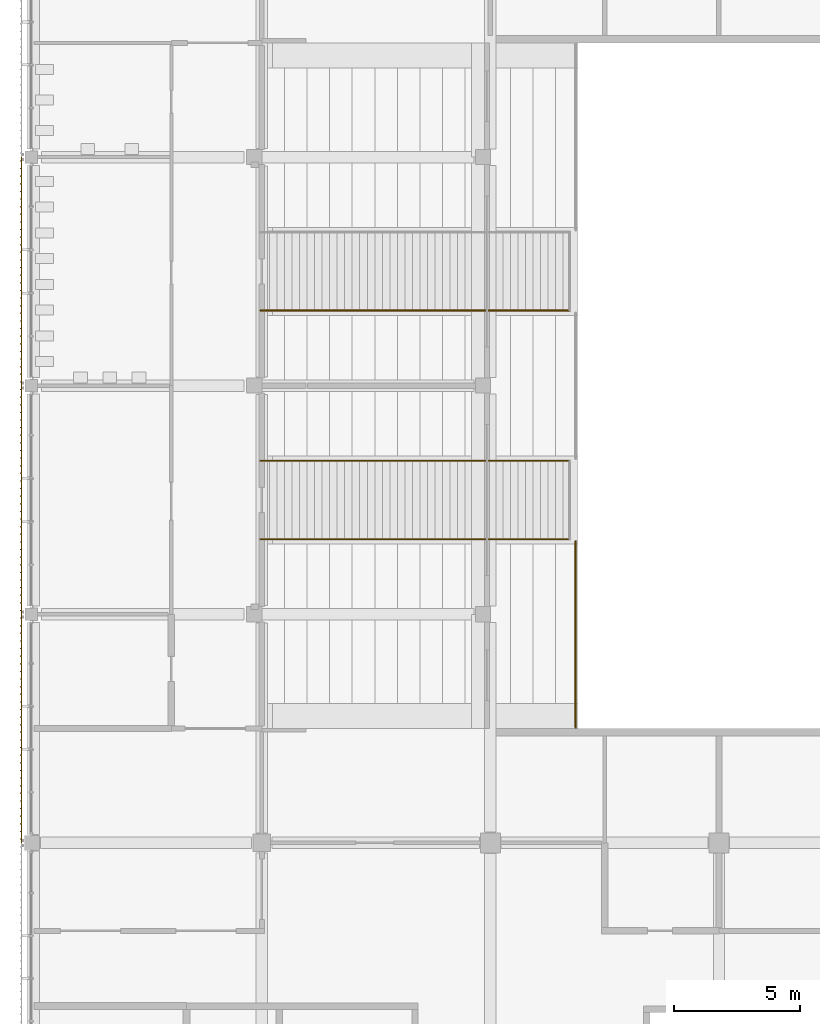
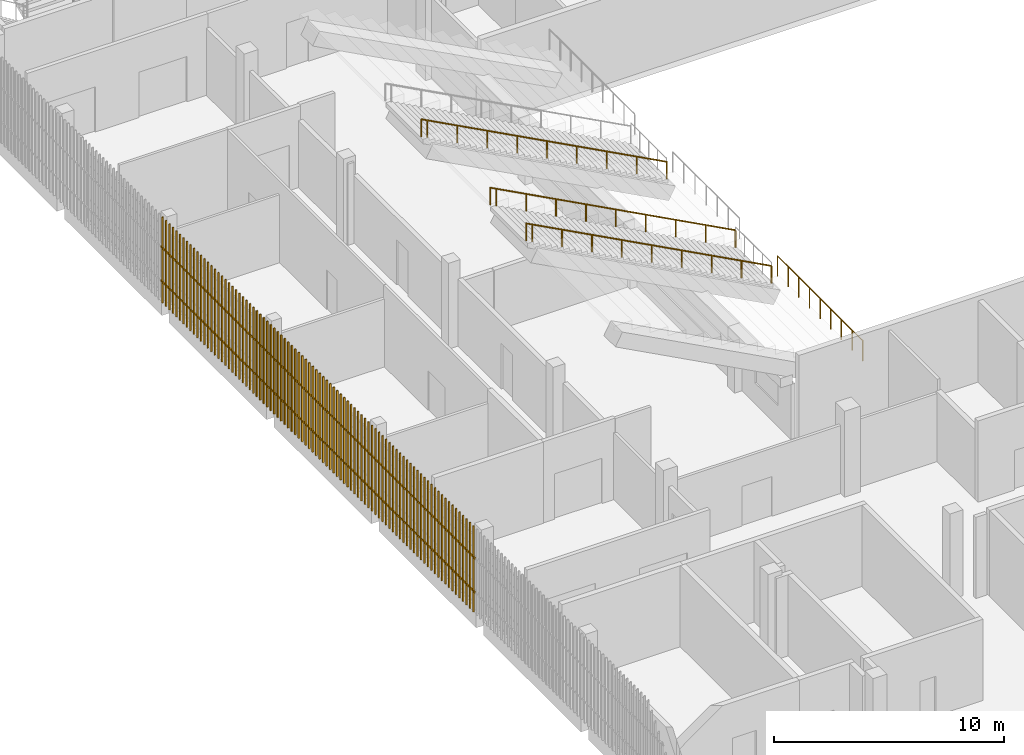
# One storey, part 117 of 139: 4 railings, 3 shading devices.
"""IFC4 building model written with IfcOpenShell, lengths in metres."""

from ifc_helpers import new_model, si_unit, direction, frame, origin, origin_2d, place, context, subcontext, project, spatial, rectangle, circle, extrude, material, type_object, element, save


model = new_model("IFC4")

# Units and contexts
model_context = context("Model", 3, precision=1e-05, world=origin(), true_north=direction((0.0, 1.0)))
body_context = subcontext(model_context, "Body", "Model", "MODEL_VIEW")
ifc_project = project(units=[si_unit("LENGTHUNIT", "METRE"), si_unit("AREAUNIT", "SQUARE_METRE"), si_unit("VOLUMEUNIT", "CUBIC_METRE"), si_unit("PLANEANGLEUNIT", "RADIAN"), si_unit("MASSUNIT", "GRAM", prefix="KILO")], contexts=[model_context])

# Site, building, storey
site_placement = place(None, origin())
site = spatial("IfcSite", under=ifc_project, at=site_placement, CompositionType="ELEMENT")
building_placement = place(site_placement, origin())
building = spatial("IfcBuilding", under=site, at=building_placement, Name="Shirokan Park Arena", CompositionType="ELEMENT")
storey_placement = place(building_placement, frame((0.0, 0.0, 15.469970703125)))
storey = spatial("IfcBuildingStorey", under=building, at=storey_placement, Name="L03", CompositionType="ELEMENT", Elevation=15.469970703125)

# Railings
ifc_material_1 = material(Name="Stainless steel", Category="steel")
railing_type_1 = type_object("IfcRailingType", Name="Aisle handrail 900", PredefinedType="HANDRAIL", material=ifc_material_1)
railing_1_placement = place(storey_placement, frame((21.35009765625, 48.489990234375, 2.5400390625)))
element("IfcRailing", 1, at=railing_1_placement, inside=storey, type_object=railing_type_1, Name="Handrail vomitory stair W1 upper", PredefinedType="HANDRAIL", context=body_context, shape_type="SweptSolid", body=[
    extrude(circle(Radius=0.02490234375, at=origin_2d()), frame((0.0, 0.0, 0.90185546875), z_axis=(-0.882341014787, 0.0, 0.470610596591), x_axis=(0.0, -1.0, 0.0)), (0.0, 0.0, 1.0), 1.699951171875),
    extrude(circle(Radius=0.02490234375, at=origin_2d()), frame((-1.5, 0.0, 1.70166015625), z_axis=(-0.882341014787, 0.0, 0.470610596591), x_axis=(0.0, -1.0, 0.0)), (0.0, 0.0, 1.0), 1.699951171875),
    extrude(circle(Radius=0.02490234375, at=origin_2d()), frame((-3.0, 0.0, 2.501953125), z_axis=(-0.88240064429, 0.0, 0.470498781037), x_axis=(0.0, -1.0, 0.0)), (0.0, 0.0, 1.0), 1.699951171875),
    extrude(circle(Radius=0.02490234375, at=origin_2d()), frame((-4.5, 0.0, 3.3017578125), z_axis=(-0.882341014787, 0.0, 0.470610596591), x_axis=(0.0, -1.0, 0.0)), (0.0, 0.0, 1.0), 1.699951171875),
    extrude(circle(Radius=0.02490234375, at=origin_2d()), frame((-6.0, 0.0, 4.1015625), z_axis=(-0.882341014787, 0.0, 0.470610596591), x_axis=(0.0, -1.0, 0.0)), (0.0, 0.0, 1.0), 1.699951171875),
    extrude(circle(Radius=0.02490234375, at=origin_2d()), frame((-7.5, 0.0, 4.90185546875), z_axis=(-0.882341014787, 0.0, 0.470610596591), x_axis=(0.0, -1.0, 0.0)), (0.0, 0.0, 1.0), 1.699951171875),
    extrude(circle(Radius=0.02490234375, at=origin_2d()), frame((-9.0, 0.0, 5.70166015625), z_axis=(-0.882341014787, 0.0, 0.470610596591), x_axis=(0.0, -1.0, 0.0)), (0.0, 0.0, 1.0), 1.699951171875),
    extrude(circle(Radius=0.02490234375, at=origin_2d()), frame((-10.5, 0.0, 6.501953125), z_axis=(-0.88240064429, 0.0, 0.470498781037), x_axis=(0.0, -1.0, 0.0)), (0.0, 0.0, 1.0), 1.699951171875),
    extrude(circle(Radius=0.02490234375, at=origin_2d()), frame((-12.0, 0.0, 7.3017578125), z_axis=(-0.882193928472, 0.0, 0.470886262878), x_axis=(0.0, -1.0, 0.0)), (0.0, 0.0, 1.0), 0.340087890625),
    extrude(circle(Radius=0.02490234375, at=origin_2d()), origin(), (0.0, 0.0, 1.0), 0.876708984375),
    extrude(circle(Radius=0.02490234375, at=origin_2d()), frame((-1.5, 0.0, 0.800048828125)), (0.0, 0.0, 1.0), 0.876708984375),
    extrude(circle(Radius=0.02490234375, at=origin_2d()), frame((-3.0, 0.0, 1.60009765625)), (0.0, 0.0, 1.0), 0.876708984375),
    extrude(circle(Radius=0.02490234375, at=origin_2d()), frame((-4.5, 0.0, 2.39990234375)), (0.0, 0.0, 1.0), 0.876708984375),
    extrude(circle(Radius=0.02490234375, at=origin_2d()), frame((-6.0, 0.0, 3.199951171875)), (0.0, 0.0, 1.0), 0.876708984375),
    extrude(circle(Radius=0.02490234375, at=origin_2d()), frame((-7.5, 0.0, 4.0)), (0.0, 0.0, 1.0), 0.876708984375),
    extrude(circle(Radius=0.02490234375, at=origin_2d()), frame((-9.0, 0.0, 4.800048828125)), (0.0, 0.0, 1.0), 0.876708984375),
    extrude(circle(Radius=0.02490234375, at=origin_2d()), frame((-10.5, 0.0, 5.60009765625)), (0.0, 0.0, 1.0), 0.876708984375),
    extrude(circle(Radius=0.02490234375, at=origin_2d()), frame((-12.0, 0.0, 6.39990234375)), (0.0, 0.0, 1.0), 0.876708984375),
    extrude(circle(Radius=0.02490234375, at=origin_2d()), frame((-12.300048828125, 0.0, 6.56005859375)), (0.0, 0.0, 1.0), 0.876708984375),
])
railing_2_placement = place(storey_placement, frame((21.35009765625, 51.610107421875, 2.5400390625)))
element("IfcRailing", 2, at=railing_2_placement, inside=storey, type_object=railing_type_1, Name="Handrail vomitory stair W1 upper", PredefinedType="HANDRAIL", context=body_context, shape_type="SweptSolid", body=[
    extrude(circle(Radius=0.02490234375, at=origin_2d()), frame((0.0, 0.0, 0.90185546875), z_axis=(-0.882341014787, 0.0, 0.470610596591), x_axis=(0.0, -1.0, 0.0)), (0.0, 0.0, 1.0), 1.699951171875),
    extrude(circle(Radius=0.02490234375, at=origin_2d()), frame((-1.5, 0.0, 1.70166015625), z_axis=(-0.882341014787, 0.0, 0.470610596591), x_axis=(0.0, -1.0, 0.0)), (0.0, 0.0, 1.0), 1.699951171875),
    extrude(circle(Radius=0.02490234375, at=origin_2d()), frame((-3.0, 0.0, 2.501953125), z_axis=(-0.88240064429, 0.0, 0.470498781037), x_axis=(0.0, -1.0, 0.0)), (0.0, 0.0, 1.0), 1.699951171875),
    extrude(circle(Radius=0.02490234375, at=origin_2d()), frame((-4.5, 0.0, 3.3017578125), z_axis=(-0.882341014787, 0.0, 0.470610596591), x_axis=(0.0, -1.0, 0.0)), (0.0, 0.0, 1.0), 1.699951171875),
    extrude(circle(Radius=0.02490234375, at=origin_2d()), frame((-6.0, 0.0, 4.1015625), z_axis=(-0.882341014787, 0.0, 0.470610596591), x_axis=(0.0, -1.0, 0.0)), (0.0, 0.0, 1.0), 1.699951171875),
    extrude(circle(Radius=0.02490234375, at=origin_2d()), frame((-7.5, 0.0, 4.90185546875), z_axis=(-0.882341014787, 0.0, 0.470610596591), x_axis=(0.0, -1.0, 0.0)), (0.0, 0.0, 1.0), 1.699951171875),
    extrude(circle(Radius=0.02490234375, at=origin_2d()), frame((-9.0, 0.0, 5.70166015625), z_axis=(-0.882341014787, 0.0, 0.470610596591), x_axis=(0.0, -1.0, 0.0)), (0.0, 0.0, 1.0), 1.699951171875),
    extrude(circle(Radius=0.02490234375, at=origin_2d()), frame((-10.5, 0.0, 6.501953125), z_axis=(-0.88240064429, 0.0, 0.470498781037), x_axis=(0.0, -1.0, 0.0)), (0.0, 0.0, 1.0), 1.699951171875),
    extrude(circle(Radius=0.02490234375, at=origin_2d()), frame((-12.0, 0.0, 7.3017578125), z_axis=(-0.882193928472, 0.0, 0.470886262878), x_axis=(0.0, -1.0, 0.0)), (0.0, 0.0, 1.0), 0.340087890625),
    extrude(circle(Radius=0.02490234375, at=origin_2d()), origin(), (0.0, 0.0, 1.0), 0.876708984375),
    extrude(circle(Radius=0.02490234375, at=origin_2d()), frame((-1.5, 0.0, 0.800048828125)), (0.0, 0.0, 1.0), 0.876708984375),
    extrude(circle(Radius=0.02490234375, at=origin_2d()), frame((-3.0, 0.0, 1.60009765625)), (0.0, 0.0, 1.0), 0.876708984375),
    extrude(circle(Radius=0.02490234375, at=origin_2d()), frame((-4.5, 0.0, 2.39990234375)), (0.0, 0.0, 1.0), 0.876708984375),
    extrude(circle(Radius=0.02490234375, at=origin_2d()), frame((-6.0, 0.0, 3.199951171875)), (0.0, 0.0, 1.0), 0.876708984375),
    extrude(circle(Radius=0.02490234375, at=origin_2d()), frame((-7.5, 0.0, 4.0)), (0.0, 0.0, 1.0), 0.876708984375),
    extrude(circle(Radius=0.02490234375, at=origin_2d()), frame((-9.0, 0.0, 4.800048828125)), (0.0, 0.0, 1.0), 0.876708984375),
    extrude(circle(Radius=0.02490234375, at=origin_2d()), frame((-10.5, 0.0, 5.60009765625)), (0.0, 0.0, 1.0), 0.876708984375),
    extrude(circle(Radius=0.02490234375, at=origin_2d()), frame((-12.0, 0.0, 6.39990234375)), (0.0, 0.0, 1.0), 0.876708984375),
    extrude(circle(Radius=0.02490234375, at=origin_2d()), frame((-12.300048828125, 0.0, 6.56005859375)), (0.0, 0.0, 1.0), 0.876708984375),
])
railing_3_placement = place(storey_placement, frame((21.35009765625, 57.590087890625, 2.5400390625)))
element("IfcRailing", 3, at=railing_3_placement, inside=storey, type_object=railing_type_1, Name="Handrail vomitory stair W2 upper", PredefinedType="HANDRAIL", context=body_context, shape_type="SweptSolid", body=[
    extrude(circle(Radius=0.02490234375, at=origin_2d()), frame((0.0, 0.0, 0.90185546875), z_axis=(-0.882341014787, 0.0, 0.470610596591), x_axis=(0.0, -1.0, 0.0)), (0.0, 0.0, 1.0), 1.699951171875),
    extrude(circle(Radius=0.02490234375, at=origin_2d()), frame((-1.5, 0.0, 1.70166015625), z_axis=(-0.882341014787, 0.0, 0.470610596591), x_axis=(0.0, -1.0, 0.0)), (0.0, 0.0, 1.0), 1.699951171875),
    extrude(circle(Radius=0.02490234375, at=origin_2d()), frame((-3.0, 0.0, 2.501953125), z_axis=(-0.88240064429, 0.0, 0.470498781037), x_axis=(0.0, -1.0, 0.0)), (0.0, 0.0, 1.0), 1.699951171875),
    extrude(circle(Radius=0.02490234375, at=origin_2d()), frame((-4.5, 0.0, 3.3017578125), z_axis=(-0.882341014787, 0.0, 0.470610596591), x_axis=(0.0, -1.0, 0.0)), (0.0, 0.0, 1.0), 1.699951171875),
    extrude(circle(Radius=0.02490234375, at=origin_2d()), frame((-6.0, 0.0, 4.1015625), z_axis=(-0.882341014787, 0.0, 0.470610596591), x_axis=(0.0, -1.0, 0.0)), (0.0, 0.0, 1.0), 1.699951171875),
    extrude(circle(Radius=0.02490234375, at=origin_2d()), frame((-7.5, 0.0, 4.90185546875), z_axis=(-0.882341014787, 0.0, 0.470610596591), x_axis=(0.0, -1.0, 0.0)), (0.0, 0.0, 1.0), 1.699951171875),
    extrude(circle(Radius=0.02490234375, at=origin_2d()), frame((-9.0, 0.0, 5.70166015625), z_axis=(-0.882341014787, 0.0, 0.470610596591), x_axis=(0.0, -1.0, 0.0)), (0.0, 0.0, 1.0), 1.699951171875),
    extrude(circle(Radius=0.02490234375, at=origin_2d()), frame((-10.5, 0.0, 6.501953125), z_axis=(-0.88240064429, 0.0, 0.470498781037), x_axis=(0.0, -1.0, 0.0)), (0.0, 0.0, 1.0), 1.699951171875),
    extrude(circle(Radius=0.02490234375, at=origin_2d()), frame((-12.0, 0.0, 7.3017578125), z_axis=(-0.882193928472, 0.0, 0.470886262878), x_axis=(0.0, -1.0, 0.0)), (0.0, 0.0, 1.0), 0.340087890625),
    extrude(circle(Radius=0.02490234375, at=origin_2d()), origin(), (0.0, 0.0, 1.0), 0.876708984375),
    extrude(circle(Radius=0.02490234375, at=origin_2d()), frame((-1.5, 0.0, 0.800048828125)), (0.0, 0.0, 1.0), 0.876708984375),
    extrude(circle(Radius=0.02490234375, at=origin_2d()), frame((-3.0, 0.0, 1.60009765625)), (0.0, 0.0, 1.0), 0.876708984375),
    extrude(circle(Radius=0.02490234375, at=origin_2d()), frame((-4.5, 0.0, 2.39990234375)), (0.0, 0.0, 1.0), 0.876708984375),
    extrude(circle(Radius=0.02490234375, at=origin_2d()), frame((-6.0, 0.0, 3.199951171875)), (0.0, 0.0, 1.0), 0.876708984375),
    extrude(circle(Radius=0.02490234375, at=origin_2d()), frame((-7.5, 0.0, 4.0)), (0.0, 0.0, 1.0), 0.876708984375),
    extrude(circle(Radius=0.02490234375, at=origin_2d()), frame((-9.0, 0.0, 4.800048828125)), (0.0, 0.0, 1.0), 0.876708984375),
    extrude(circle(Radius=0.02490234375, at=origin_2d()), frame((-10.5, 0.0, 5.60009765625)), (0.0, 0.0, 1.0), 0.876708984375),
    extrude(circle(Radius=0.02490234375, at=origin_2d()), frame((-12.0, 0.0, 6.39990234375)), (0.0, 0.0, 1.0), 0.876708984375),
    extrude(circle(Radius=0.02490234375, at=origin_2d()), frame((-12.300048828125, 0.0, 6.56005859375)), (0.0, 0.0, 1.0), 0.876708984375),
])
railing_type_2 = type_object("IfcRailingType", Name="Crowd barrier 1100", PredefinedType="GUARDRAIL", material=ifc_material_1)
railing_4_placement = place(storey_placement, frame((21.60009765625, 41.0, 2.860107421875)))
element("IfcRailing", 4, at=railing_4_placement, inside=storey, type_object=railing_type_2, Name="Crowd barrier W1 upper tier", PredefinedType="GUARDRAIL", context=body_context, shape_type="SweptSolid", body=[
    extrude(circle(Radius=0.030029296875, at=origin_2d()), frame((0.0, 0.0, 1.072021484375), z_axis=(0.0, 1.0, 0.0), x_axis=(-1.0, 0.0, 0.0)), (0.0, 0.0, 1.0), 7.39990234375),
    extrude(circle(Radius=0.030029296875, at=origin_2d()), origin(), (0.0, 0.0, 1.0), 1.0419921875),
    extrude(circle(Radius=0.030029296875, at=origin_2d()), frame((0.0, 0.925048828125, 0.0)), (0.0, 0.0, 1.0), 1.0419921875),
    extrude(circle(Radius=0.030029296875, at=origin_2d()), frame((0.0, 1.85009765625, 0.0)), (0.0, 0.0, 1.0), 1.0419921875),
    extrude(circle(Radius=0.030029296875, at=origin_2d()), frame((0.0, 2.77490234375, 0.0)), (0.0, 0.0, 1.0), 1.0419921875),
    extrude(circle(Radius=0.030029296875, at=origin_2d()), frame((0.0, 3.699951171875, 0.0)), (0.0, 0.0, 1.0), 1.0419921875),
    extrude(circle(Radius=0.030029296875, at=origin_2d()), frame((0.0, 4.625, 0.0)), (0.0, 0.0, 1.0), 1.0419921875),
    extrude(circle(Radius=0.030029296875, at=origin_2d()), frame((0.0, 5.5498046875, 0.0)), (0.0, 0.0, 1.0), 1.0419921875),
    extrude(circle(Radius=0.030029296875, at=origin_2d()), frame((0.0, 6.474853515625, 0.0)), (0.0, 0.0, 1.0), 1.0419921875),
    extrude(circle(Radius=0.030029296875, at=origin_2d()), frame((0.0, 7.39990234375, 0.0)), (0.0, 0.0, 1.0), 1.0419921875),
])

# Shading devices
ifc_material_2 = material(Name="Timber louvre veil (cedar)", Category="wood")
shading_device_type = type_object("IfcShadingDeviceType", Name="Timber louvre veil panel", PredefinedType="JALOUSIE", material=ifc_material_2)
shading_device_1_placement = place(storey_placement, origin())
element("IfcShadingDevice", 5, at=shading_device_1_placement, inside=storey, type_object=shading_device_type, Name="Timber louvre veil west bay 6 L03", PredefinedType="JALOUSIE", context=body_context, shape_type="SweptSolid", body=[
    extrude(rectangle(XDim=0.050048828125, YDim=0.080078125, at=origin_2d()), frame((-0.485107421875, 63.54833984375, 0.0), z_axis=(0.0, 0.0, 1.0), x_axis=(0.0, -1.0, 0.0)), (0.0, 0.0, 1.0), 4.550048828125),
    extrude(rectangle(XDim=0.050048828125, YDim=0.080078125, at=origin_2d()), frame((-0.485107421875, 63.2451171875, 0.0), z_axis=(0.0, 0.0, 1.0), x_axis=(0.0, -1.0, 0.0)), (0.0, 0.0, 1.0), 4.550048828125),
    extrude(rectangle(XDim=0.050048828125, YDim=0.080078125, at=origin_2d()), frame((-0.485107421875, 62.941650390625, 0.0), z_axis=(0.0, 0.0, 1.0), x_axis=(0.0, -1.0, 0.0)), (0.0, 0.0, 1.0), 4.550048828125),
    extrude(rectangle(XDim=0.050048828125, YDim=0.080078125, at=origin_2d()), frame((-0.485107421875, 62.638427734375, 0.0), z_axis=(0.0, 0.0, 1.0), x_axis=(0.0, -1.0, 0.0)), (0.0, 0.0, 1.0), 4.550048828125),
    extrude(rectangle(XDim=0.050048828125, YDim=0.080078125, at=origin_2d()), frame((-0.485107421875, 62.3349609375, 0.0), z_axis=(0.0, 0.0, 1.0), x_axis=(0.0, -1.0, 0.0)), (0.0, 0.0, 1.0), 4.550048828125),
    extrude(rectangle(XDim=0.050048828125, YDim=0.080078125, at=origin_2d()), frame((-0.485107421875, 62.03173828125, 0.0), z_axis=(0.0, 0.0, 1.0), x_axis=(0.0, -1.0, 0.0)), (0.0, 0.0, 1.0), 4.550048828125),
    extrude(rectangle(XDim=0.050048828125, YDim=0.080078125, at=origin_2d()), frame((-0.485107421875, 61.728271484375, 0.0), z_axis=(0.0, 0.0, 1.0), x_axis=(0.0, -1.0, 0.0)), (0.0, 0.0, 1.0), 4.550048828125),
    extrude(rectangle(XDim=0.050048828125, YDim=0.080078125, at=origin_2d()), frame((-0.485107421875, 61.425048828125, 0.0), z_axis=(0.0, 0.0, 1.0), x_axis=(0.0, -1.0, 0.0)), (0.0, 0.0, 1.0), 4.550048828125),
    extrude(rectangle(XDim=0.050048828125, YDim=0.080078125, at=origin_2d()), frame((-0.485107421875, 61.12158203125, 0.0), z_axis=(0.0, 0.0, 1.0), x_axis=(0.0, -1.0, 0.0)), (0.0, 0.0, 1.0), 4.550048828125),
    extrude(rectangle(XDim=0.050048828125, YDim=0.080078125, at=origin_2d()), frame((-0.485107421875, 60.818359375, 0.0), z_axis=(0.0, 0.0, 1.0), x_axis=(0.0, -1.0, 0.0)), (0.0, 0.0, 1.0), 4.550048828125),
    extrude(rectangle(XDim=0.050048828125, YDim=0.080078125, at=origin_2d()), frame((-0.485107421875, 60.514892578125, 0.0), z_axis=(0.0, 0.0, 1.0), x_axis=(0.0, -1.0, 0.0)), (0.0, 0.0, 1.0), 4.550048828125),
    extrude(rectangle(XDim=0.050048828125, YDim=0.080078125, at=origin_2d()), frame((-0.485107421875, 60.211669921875, 0.0), z_axis=(0.0, 0.0, 1.0), x_axis=(0.0, -1.0, 0.0)), (0.0, 0.0, 1.0), 4.550048828125),
    extrude(rectangle(XDim=0.050048828125, YDim=0.080078125, at=origin_2d()), frame((-0.485107421875, 59.908447265625, 0.0), z_axis=(0.0, 0.0, 1.0), x_axis=(0.0, -1.0, 0.0)), (0.0, 0.0, 1.0), 4.550048828125),
    extrude(rectangle(XDim=0.050048828125, YDim=0.080078125, at=origin_2d()), frame((-0.485107421875, 59.60498046875, 0.0), z_axis=(0.0, 0.0, 1.0), x_axis=(0.0, -1.0, 0.0)), (0.0, 0.0, 1.0), 4.550048828125),
    extrude(rectangle(XDim=0.050048828125, YDim=0.080078125, at=origin_2d()), frame((-0.485107421875, 59.3017578125, 0.0), z_axis=(0.0, 0.0, 1.0), x_axis=(0.0, -1.0, 0.0)), (0.0, 0.0, 1.0), 4.550048828125),
    extrude(rectangle(XDim=0.050048828125, YDim=0.080078125, at=origin_2d()), frame((-0.485107421875, 58.998291015625, 0.0), z_axis=(0.0, 0.0, 1.0), x_axis=(0.0, -1.0, 0.0)), (0.0, 0.0, 1.0), 4.550048828125),
    extrude(rectangle(XDim=0.050048828125, YDim=0.080078125, at=origin_2d()), frame((-0.485107421875, 58.695068359375, 0.0), z_axis=(0.0, 0.0, 1.0), x_axis=(0.0, -1.0, 0.0)), (0.0, 0.0, 1.0), 4.550048828125),
    extrude(rectangle(XDim=0.050048828125, YDim=0.080078125, at=origin_2d()), frame((-0.485107421875, 58.3916015625, 0.0), z_axis=(0.0, 0.0, 1.0), x_axis=(0.0, -1.0, 0.0)), (0.0, 0.0, 1.0), 4.550048828125),
    extrude(rectangle(XDim=0.050048828125, YDim=0.080078125, at=origin_2d()), frame((-0.485107421875, 58.08837890625, 0.0), z_axis=(0.0, 0.0, 1.0), x_axis=(0.0, -1.0, 0.0)), (0.0, 0.0, 1.0), 4.550048828125),
    extrude(rectangle(XDim=0.050048828125, YDim=0.080078125, at=origin_2d()), frame((-0.485107421875, 57.784912109375, 0.0), z_axis=(0.0, 0.0, 1.0), x_axis=(0.0, -1.0, 0.0)), (0.0, 0.0, 1.0), 4.550048828125),
    extrude(rectangle(XDim=0.050048828125, YDim=0.080078125, at=origin_2d()), frame((-0.485107421875, 57.481689453125, 0.0), z_axis=(0.0, 0.0, 1.0), x_axis=(0.0, -1.0, 0.0)), (0.0, 0.0, 1.0), 4.550048828125),
    extrude(rectangle(XDim=0.050048828125, YDim=0.080078125, at=origin_2d()), frame((-0.485107421875, 57.17822265625, 0.0), z_axis=(0.0, 0.0, 1.0), x_axis=(0.0, -1.0, 0.0)), (0.0, 0.0, 1.0), 4.550048828125),
    extrude(rectangle(XDim=0.050048828125, YDim=0.080078125, at=origin_2d()), frame((-0.485107421875, 56.875, 0.0), z_axis=(0.0, 0.0, 1.0), x_axis=(0.0, -1.0, 0.0)), (0.0, 0.0, 1.0), 4.550048828125),
    extrude(rectangle(XDim=0.050048828125, YDim=0.080078125, at=origin_2d()), frame((-0.485107421875, 56.57177734375, 0.0), z_axis=(0.0, 0.0, 1.0), x_axis=(0.0, -1.0, 0.0)), (0.0, 0.0, 1.0), 4.550048828125),
    extrude(rectangle(XDim=0.050048828125, YDim=0.080078125, at=origin_2d()), frame((-0.485107421875, 56.268310546875, 0.0), z_axis=(0.0, 0.0, 1.0), x_axis=(0.0, -1.0, 0.0)), (0.0, 0.0, 1.0), 4.550048828125),
    extrude(rectangle(XDim=0.050048828125, YDim=0.080078125, at=origin_2d()), frame((-0.485107421875, 55.965087890625, 0.0), z_axis=(0.0, 0.0, 1.0), x_axis=(0.0, -1.0, 0.0)), (0.0, 0.0, 1.0), 4.550048828125),
    extrude(rectangle(XDim=0.050048828125, YDim=0.080078125, at=origin_2d()), frame((-0.485107421875, 55.66162109375, 0.0), z_axis=(0.0, 0.0, 1.0), x_axis=(0.0, -1.0, 0.0)), (0.0, 0.0, 1.0), 4.550048828125),
    extrude(rectangle(XDim=0.050048828125, YDim=0.080078125, at=origin_2d()), frame((-0.485107421875, 55.3583984375, 0.0), z_axis=(0.0, 0.0, 1.0), x_axis=(0.0, -1.0, 0.0)), (0.0, 0.0, 1.0), 4.550048828125),
    extrude(rectangle(XDim=0.050048828125, YDim=0.080078125, at=origin_2d()), frame((-0.485107421875, 55.054931640625, 0.0), z_axis=(0.0, 0.0, 1.0), x_axis=(0.0, -1.0, 0.0)), (0.0, 0.0, 1.0), 4.550048828125),
    extrude(rectangle(XDim=0.050048828125, YDim=0.080078125, at=origin_2d()), frame((-0.485107421875, 54.751708984375, 0.0), z_axis=(0.0, 0.0, 1.0), x_axis=(0.0, -1.0, 0.0)), (0.0, 0.0, 1.0), 4.550048828125),
    extrude(rectangle(XDim=9.10009765625, YDim=0.050048828125, at=origin_2d()), frame((-0.469970703125, 59.14990234375, 1.06005859375), z_axis=(0.0, 0.0, 1.0), x_axis=(0.0, -1.0, 0.0)), (0.0, 0.0, 1.0), 0.080078125),
    extrude(rectangle(XDim=9.10009765625, YDim=0.050048828125, at=origin_2d()), frame((-0.469970703125, 59.14990234375, 2.860107421875), z_axis=(0.0, 0.0, 1.0), x_axis=(0.0, -1.0, 0.0)), (0.0, 0.0, 1.0), 0.080078125),
])
shading_device_2_placement = place(storey_placement, origin())
element("IfcShadingDevice", 6, at=shading_device_2_placement, inside=storey, type_object=shading_device_type, Name="Timber louvre veil west bay 7 L03", PredefinedType="JALOUSIE", context=body_context, shape_type="SweptSolid", body=[
    extrude(rectangle(XDim=0.050048828125, YDim=0.080078125, at=origin_2d()), frame((-0.485107421875, 54.4482421875, 0.0), z_axis=(0.0, 0.0, 1.0), x_axis=(0.0, -1.0, 0.0)), (0.0, 0.0, 1.0), 4.550048828125),
    extrude(rectangle(XDim=0.050048828125, YDim=0.080078125, at=origin_2d()), frame((-0.485107421875, 54.14501953125, 0.0), z_axis=(0.0, 0.0, 1.0), x_axis=(0.0, -1.0, 0.0)), (0.0, 0.0, 1.0), 4.550048828125),
    extrude(rectangle(XDim=0.050048828125, YDim=0.080078125, at=origin_2d()), frame((-0.485107421875, 53.841552734375, 0.0), z_axis=(0.0, 0.0, 1.0), x_axis=(0.0, -1.0, 0.0)), (0.0, 0.0, 1.0), 4.550048828125),
    extrude(rectangle(XDim=0.050048828125, YDim=0.080078125, at=origin_2d()), frame((-0.485107421875, 53.538330078125, 0.0), z_axis=(0.0, 0.0, 1.0), x_axis=(0.0, -1.0, 0.0)), (0.0, 0.0, 1.0), 4.550048828125),
    extrude(rectangle(XDim=0.050048828125, YDim=0.080078125, at=origin_2d()), frame((-0.485107421875, 53.235107421875, 0.0), z_axis=(0.0, 0.0, 1.0), x_axis=(0.0, -1.0, 0.0)), (0.0, 0.0, 1.0), 4.550048828125),
    extrude(rectangle(XDim=0.050048828125, YDim=0.080078125, at=origin_2d()), frame((-0.485107421875, 52.931640625, 0.0), z_axis=(0.0, 0.0, 1.0), x_axis=(0.0, -1.0, 0.0)), (0.0, 0.0, 1.0), 4.550048828125),
    extrude(rectangle(XDim=0.050048828125, YDim=0.080078125, at=origin_2d()), frame((-0.485107421875, 52.62841796875, 0.0), z_axis=(0.0, 0.0, 1.0), x_axis=(0.0, -1.0, 0.0)), (0.0, 0.0, 1.0), 4.550048828125),
    extrude(rectangle(XDim=0.050048828125, YDim=0.080078125, at=origin_2d()), frame((-0.485107421875, 52.324951171875, 0.0), z_axis=(0.0, 0.0, 1.0), x_axis=(0.0, -1.0, 0.0)), (0.0, 0.0, 1.0), 4.550048828125),
    extrude(rectangle(XDim=0.050048828125, YDim=0.080078125, at=origin_2d()), frame((-0.485107421875, 52.021728515625, 0.0), z_axis=(0.0, 0.0, 1.0), x_axis=(0.0, -1.0, 0.0)), (0.0, 0.0, 1.0), 4.550048828125),
    extrude(rectangle(XDim=0.050048828125, YDim=0.080078125, at=origin_2d()), frame((-0.485107421875, 51.71826171875, 0.0), z_axis=(0.0, 0.0, 1.0), x_axis=(0.0, -1.0, 0.0)), (0.0, 0.0, 1.0), 4.550048828125),
    extrude(rectangle(XDim=0.050048828125, YDim=0.080078125, at=origin_2d()), frame((-0.485107421875, 51.4150390625, 0.0), z_axis=(0.0, 0.0, 1.0), x_axis=(0.0, -1.0, 0.0)), (0.0, 0.0, 1.0), 4.550048828125),
    extrude(rectangle(XDim=0.050048828125, YDim=0.080078125, at=origin_2d()), frame((-0.485107421875, 51.111572265625, 0.0), z_axis=(0.0, 0.0, 1.0), x_axis=(0.0, -1.0, 0.0)), (0.0, 0.0, 1.0), 4.550048828125),
    extrude(rectangle(XDim=0.050048828125, YDim=0.080078125, at=origin_2d()), frame((-0.485107421875, 50.808349609375, 0.0), z_axis=(0.0, 0.0, 1.0), x_axis=(0.0, -1.0, 0.0)), (0.0, 0.0, 1.0), 4.550048828125),
    extrude(rectangle(XDim=0.050048828125, YDim=0.080078125, at=origin_2d()), frame((-0.485107421875, 50.5048828125, 0.0), z_axis=(0.0, 0.0, 1.0), x_axis=(0.0, -1.0, 0.0)), (0.0, 0.0, 1.0), 4.550048828125),
    extrude(rectangle(XDim=0.050048828125, YDim=0.080078125, at=origin_2d()), frame((-0.485107421875, 50.20166015625, 0.0), z_axis=(0.0, 0.0, 1.0), x_axis=(0.0, -1.0, 0.0)), (0.0, 0.0, 1.0), 4.550048828125),
    extrude(rectangle(XDim=0.050048828125, YDim=0.080078125, at=origin_2d()), frame((-0.485107421875, 49.8984375, 0.0), z_axis=(0.0, 0.0, 1.0), x_axis=(0.0, -1.0, 0.0)), (0.0, 0.0, 1.0), 4.550048828125),
    extrude(rectangle(XDim=0.050048828125, YDim=0.080078125, at=origin_2d()), frame((-0.485107421875, 49.594970703125, 0.0), z_axis=(0.0, 0.0, 1.0), x_axis=(0.0, -1.0, 0.0)), (0.0, 0.0, 1.0), 4.550048828125),
    extrude(rectangle(XDim=0.050048828125, YDim=0.080078125, at=origin_2d()), frame((-0.485107421875, 49.291748046875, 0.0), z_axis=(0.0, 0.0, 1.0), x_axis=(0.0, -1.0, 0.0)), (0.0, 0.0, 1.0), 4.550048828125),
    extrude(rectangle(XDim=0.050048828125, YDim=0.080078125, at=origin_2d()), frame((-0.485107421875, 48.98828125, 0.0), z_axis=(0.0, 0.0, 1.0), x_axis=(0.0, -1.0, 0.0)), (0.0, 0.0, 1.0), 4.550048828125),
    extrude(rectangle(XDim=0.050048828125, YDim=0.080078125, at=origin_2d()), frame((-0.485107421875, 48.68505859375, 0.0), z_axis=(0.0, 0.0, 1.0), x_axis=(0.0, -1.0, 0.0)), (0.0, 0.0, 1.0), 4.550048828125),
    extrude(rectangle(XDim=0.050048828125, YDim=0.080078125, at=origin_2d()), frame((-0.485107421875, 48.381591796875, 0.0), z_axis=(0.0, 0.0, 1.0), x_axis=(0.0, -1.0, 0.0)), (0.0, 0.0, 1.0), 4.550048828125),
    extrude(rectangle(XDim=0.050048828125, YDim=0.080078125, at=origin_2d()), frame((-0.485107421875, 48.078369140625, 0.0), z_axis=(0.0, 0.0, 1.0), x_axis=(0.0, -1.0, 0.0)), (0.0, 0.0, 1.0), 4.550048828125),
    extrude(rectangle(XDim=0.050048828125, YDim=0.080078125, at=origin_2d()), frame((-0.485107421875, 47.77490234375, 0.0), z_axis=(0.0, 0.0, 1.0), x_axis=(0.0, -1.0, 0.0)), (0.0, 0.0, 1.0), 4.550048828125),
    extrude(rectangle(XDim=0.050048828125, YDim=0.080078125, at=origin_2d()), frame((-0.485107421875, 47.4716796875, 0.0), z_axis=(0.0, 0.0, 1.0), x_axis=(0.0, -1.0, 0.0)), (0.0, 0.0, 1.0), 4.550048828125),
    extrude(rectangle(XDim=0.050048828125, YDim=0.080078125, at=origin_2d()), frame((-0.485107421875, 47.168212890625, 0.0), z_axis=(0.0, 0.0, 1.0), x_axis=(0.0, -1.0, 0.0)), (0.0, 0.0, 1.0), 4.550048828125),
    extrude(rectangle(XDim=0.050048828125, YDim=0.080078125, at=origin_2d()), frame((-0.485107421875, 46.864990234375, 0.0), z_axis=(0.0, 0.0, 1.0), x_axis=(0.0, -1.0, 0.0)), (0.0, 0.0, 1.0), 4.550048828125),
    extrude(rectangle(XDim=0.050048828125, YDim=0.080078125, at=origin_2d()), frame((-0.485107421875, 46.561767578125, 0.0), z_axis=(0.0, 0.0, 1.0), x_axis=(0.0, -1.0, 0.0)), (0.0, 0.0, 1.0), 4.550048828125),
    extrude(rectangle(XDim=0.050048828125, YDim=0.080078125, at=origin_2d()), frame((-0.485107421875, 46.25830078125, 0.0), z_axis=(0.0, 0.0, 1.0), x_axis=(0.0, -1.0, 0.0)), (0.0, 0.0, 1.0), 4.550048828125),
    extrude(rectangle(XDim=0.050048828125, YDim=0.080078125, at=origin_2d()), frame((-0.485107421875, 45.955078125, 0.0), z_axis=(0.0, 0.0, 1.0), x_axis=(0.0, -1.0, 0.0)), (0.0, 0.0, 1.0), 4.550048828125),
    extrude(rectangle(XDim=0.050048828125, YDim=0.080078125, at=origin_2d()), frame((-0.485107421875, 45.651611328125, 0.0), z_axis=(0.0, 0.0, 1.0), x_axis=(0.0, -1.0, 0.0)), (0.0, 0.0, 1.0), 4.550048828125),
    extrude(rectangle(XDim=9.10009765625, YDim=0.050048828125, at=origin_2d()), frame((-0.469970703125, 50.050048828125, 1.06005859375), z_axis=(0.0, 0.0, 1.0), x_axis=(0.0, -1.0, 0.0)), (0.0, 0.0, 1.0), 0.080078125),
    extrude(rectangle(XDim=9.10009765625, YDim=0.050048828125, at=origin_2d()), frame((-0.469970703125, 50.050048828125, 2.860107421875), z_axis=(0.0, 0.0, 1.0), x_axis=(0.0, -1.0, 0.0)), (0.0, 0.0, 1.0), 0.080078125),
])
shading_device_3_placement = place(storey_placement, origin())
element("IfcShadingDevice", 7, at=shading_device_3_placement, inside=storey, type_object=shading_device_type, Name="Timber louvre veil west bay 8 L03", PredefinedType="JALOUSIE", context=body_context, shape_type="SweptSolid", body=[
    extrude(rectangle(XDim=0.050048828125, YDim=0.080078125, at=origin_2d()), frame((-0.485107421875, 45.348388671875, 0.0), z_axis=(0.0, 0.0, 1.0), x_axis=(0.0, -1.0, 0.0)), (0.0, 0.0, 1.0), 4.550048828125),
    extrude(rectangle(XDim=0.050048828125, YDim=0.080078125, at=origin_2d()), frame((-0.485107421875, 45.044921875, 0.0), z_axis=(0.0, 0.0, 1.0), x_axis=(0.0, -1.0, 0.0)), (0.0, 0.0, 1.0), 4.550048828125),
    extrude(rectangle(XDim=0.050048828125, YDim=0.080078125, at=origin_2d()), frame((-0.485107421875, 44.74169921875, 0.0), z_axis=(0.0, 0.0, 1.0), x_axis=(0.0, -1.0, 0.0)), (0.0, 0.0, 1.0), 4.550048828125),
    extrude(rectangle(XDim=0.050048828125, YDim=0.080078125, at=origin_2d()), frame((-0.485107421875, 44.438232421875, 0.0), z_axis=(0.0, 0.0, 1.0), x_axis=(0.0, -1.0, 0.0)), (0.0, 0.0, 1.0), 4.550048828125),
    extrude(rectangle(XDim=0.050048828125, YDim=0.080078125, at=origin_2d()), frame((-0.485107421875, 44.135009765625, 0.0), z_axis=(0.0, 0.0, 1.0), x_axis=(0.0, -1.0, 0.0)), (0.0, 0.0, 1.0), 4.550048828125),
    extrude(rectangle(XDim=0.050048828125, YDim=0.080078125, at=origin_2d()), frame((-0.485107421875, 43.831787109375, 0.0), z_axis=(0.0, 0.0, 1.0), x_axis=(0.0, -1.0, 0.0)), (0.0, 0.0, 1.0), 4.550048828125),
    extrude(rectangle(XDim=0.050048828125, YDim=0.080078125, at=origin_2d()), frame((-0.485107421875, 43.5283203125, 0.0), z_axis=(0.0, 0.0, 1.0), x_axis=(0.0, -1.0, 0.0)), (0.0, 0.0, 1.0), 4.550048828125),
    extrude(rectangle(XDim=0.050048828125, YDim=0.080078125, at=origin_2d()), frame((-0.485107421875, 43.22509765625, 0.0), z_axis=(0.0, 0.0, 1.0), x_axis=(0.0, -1.0, 0.0)), (0.0, 0.0, 1.0), 4.550048828125),
    extrude(rectangle(XDim=0.050048828125, YDim=0.080078125, at=origin_2d()), frame((-0.485107421875, 42.921630859375, 0.0), z_axis=(0.0, 0.0, 1.0), x_axis=(0.0, -1.0, 0.0)), (0.0, 0.0, 1.0), 4.550048828125),
    extrude(rectangle(XDim=0.050048828125, YDim=0.080078125, at=origin_2d()), frame((-0.485107421875, 42.618408203125, 0.0), z_axis=(0.0, 0.0, 1.0), x_axis=(0.0, -1.0, 0.0)), (0.0, 0.0, 1.0), 4.550048828125),
    extrude(rectangle(XDim=0.050048828125, YDim=0.080078125, at=origin_2d()), frame((-0.485107421875, 42.31494140625, 0.0), z_axis=(0.0, 0.0, 1.0), x_axis=(0.0, -1.0, 0.0)), (0.0, 0.0, 1.0), 4.550048828125),
    extrude(rectangle(XDim=0.050048828125, YDim=0.080078125, at=origin_2d()), frame((-0.485107421875, 42.01171875, 0.0), z_axis=(0.0, 0.0, 1.0), x_axis=(0.0, -1.0, 0.0)), (0.0, 0.0, 1.0), 4.550048828125),
    extrude(rectangle(XDim=0.050048828125, YDim=0.080078125, at=origin_2d()), frame((-0.485107421875, 41.708251953125, 0.0), z_axis=(0.0, 0.0, 1.0), x_axis=(0.0, -1.0, 0.0)), (0.0, 0.0, 1.0), 4.550048828125),
    extrude(rectangle(XDim=0.050048828125, YDim=0.080078125, at=origin_2d()), frame((-0.485107421875, 41.405029296875, 0.0), z_axis=(0.0, 0.0, 1.0), x_axis=(0.0, -1.0, 0.0)), (0.0, 0.0, 1.0), 4.550048828125),
    extrude(rectangle(XDim=0.050048828125, YDim=0.080078125, at=origin_2d()), frame((-0.485107421875, 41.1015625, 0.0), z_axis=(0.0, 0.0, 1.0), x_axis=(0.0, -1.0, 0.0)), (0.0, 0.0, 1.0), 4.550048828125),
    extrude(rectangle(XDim=0.050048828125, YDim=0.080078125, at=origin_2d()), frame((-0.485107421875, 40.79833984375, 0.0), z_axis=(0.0, 0.0, 1.0), x_axis=(0.0, -1.0, 0.0)), (0.0, 0.0, 1.0), 4.550048828125),
    extrude(rectangle(XDim=0.050048828125, YDim=0.080078125, at=origin_2d()), frame((-0.485107421875, 40.4951171875, 0.0), z_axis=(0.0, 0.0, 1.0), x_axis=(0.0, -1.0, 0.0)), (0.0, 0.0, 1.0), 4.550048828125),
    extrude(rectangle(XDim=0.050048828125, YDim=0.080078125, at=origin_2d()), frame((-0.485107421875, 40.191650390625, 0.0), z_axis=(0.0, 0.0, 1.0), x_axis=(0.0, -1.0, 0.0)), (0.0, 0.0, 1.0), 4.550048828125),
    extrude(rectangle(XDim=0.050048828125, YDim=0.080078125, at=origin_2d()), frame((-0.485107421875, 39.888427734375, 0.0), z_axis=(0.0, 0.0, 1.0), x_axis=(0.0, -1.0, 0.0)), (0.0, 0.0, 1.0), 4.550048828125),
    extrude(rectangle(XDim=0.050048828125, YDim=0.080078125, at=origin_2d()), frame((-0.485107421875, 39.5849609375, 0.0), z_axis=(0.0, 0.0, 1.0), x_axis=(0.0, -1.0, 0.0)), (0.0, 0.0, 1.0), 4.550048828125),
    extrude(rectangle(XDim=0.050048828125, YDim=0.080078125, at=origin_2d()), frame((-0.485107421875, 39.28173828125, 0.0), z_axis=(0.0, 0.0, 1.0), x_axis=(0.0, -1.0, 0.0)), (0.0, 0.0, 1.0), 4.550048828125),
    extrude(rectangle(XDim=0.050048828125, YDim=0.080078125, at=origin_2d()), frame((-0.485107421875, 38.978271484375, 0.0), z_axis=(0.0, 0.0, 1.0), x_axis=(0.0, -1.0, 0.0)), (0.0, 0.0, 1.0), 4.550048828125),
    extrude(rectangle(XDim=0.050048828125, YDim=0.080078125, at=origin_2d()), frame((-0.485107421875, 38.675048828125, 0.0), z_axis=(0.0, 0.0, 1.0), x_axis=(0.0, -1.0, 0.0)), (0.0, 0.0, 1.0), 4.550048828125),
    extrude(rectangle(XDim=0.050048828125, YDim=0.080078125, at=origin_2d()), frame((-0.485107421875, 38.37158203125, 0.0), z_axis=(0.0, 0.0, 1.0), x_axis=(0.0, -1.0, 0.0)), (0.0, 0.0, 1.0), 4.550048828125),
    extrude(rectangle(XDim=0.050048828125, YDim=0.080078125, at=origin_2d()), frame((-0.485107421875, 38.068359375, 0.0), z_axis=(0.0, 0.0, 1.0), x_axis=(0.0, -1.0, 0.0)), (0.0, 0.0, 1.0), 4.550048828125),
    extrude(rectangle(XDim=0.050048828125, YDim=0.080078125, at=origin_2d()), frame((-0.485107421875, 37.764892578125, 0.0), z_axis=(0.0, 0.0, 1.0), x_axis=(0.0, -1.0, 0.0)), (0.0, 0.0, 1.0), 4.550048828125),
    extrude(rectangle(XDim=0.050048828125, YDim=0.080078125, at=origin_2d()), frame((-0.485107421875, 37.461669921875, 0.0), z_axis=(0.0, 0.0, 1.0), x_axis=(0.0, -1.0, 0.0)), (0.0, 0.0, 1.0), 4.550048828125),
    extrude(rectangle(XDim=0.050048828125, YDim=0.080078125, at=origin_2d()), frame((-0.485107421875, 37.158447265625, 0.0), z_axis=(0.0, 0.0, 1.0), x_axis=(0.0, -1.0, 0.0)), (0.0, 0.0, 1.0), 4.550048828125),
    extrude(rectangle(XDim=0.050048828125, YDim=0.080078125, at=origin_2d()), frame((-0.485107421875, 36.85498046875, 0.0), z_axis=(0.0, 0.0, 1.0), x_axis=(0.0, -1.0, 0.0)), (0.0, 0.0, 1.0), 4.550048828125),
    extrude(rectangle(XDim=0.050048828125, YDim=0.080078125, at=origin_2d()), frame((-0.485107421875, 36.5517578125, 0.0), z_axis=(0.0, 0.0, 1.0), x_axis=(0.0, -1.0, 0.0)), (0.0, 0.0, 1.0), 4.550048828125),
    extrude(rectangle(XDim=9.10009765625, YDim=0.050048828125, at=origin_2d()), frame((-0.469970703125, 40.949951171875, 1.06005859375), z_axis=(0.0, 0.0, 1.0), x_axis=(0.0, -1.0, 0.0)), (0.0, 0.0, 1.0), 0.080078125),
    extrude(rectangle(XDim=9.10009765625, YDim=0.050048828125, at=origin_2d()), frame((-0.469970703125, 40.949951171875, 2.860107421875), z_axis=(0.0, 0.0, 1.0), x_axis=(0.0, -1.0, 0.0)), (0.0, 0.0, 1.0), 0.080078125),
])

save(model, "model.ifc")
